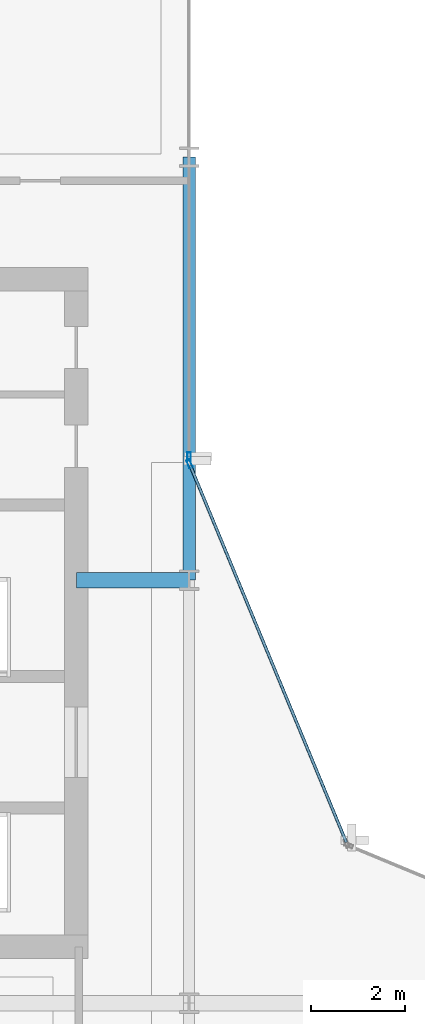
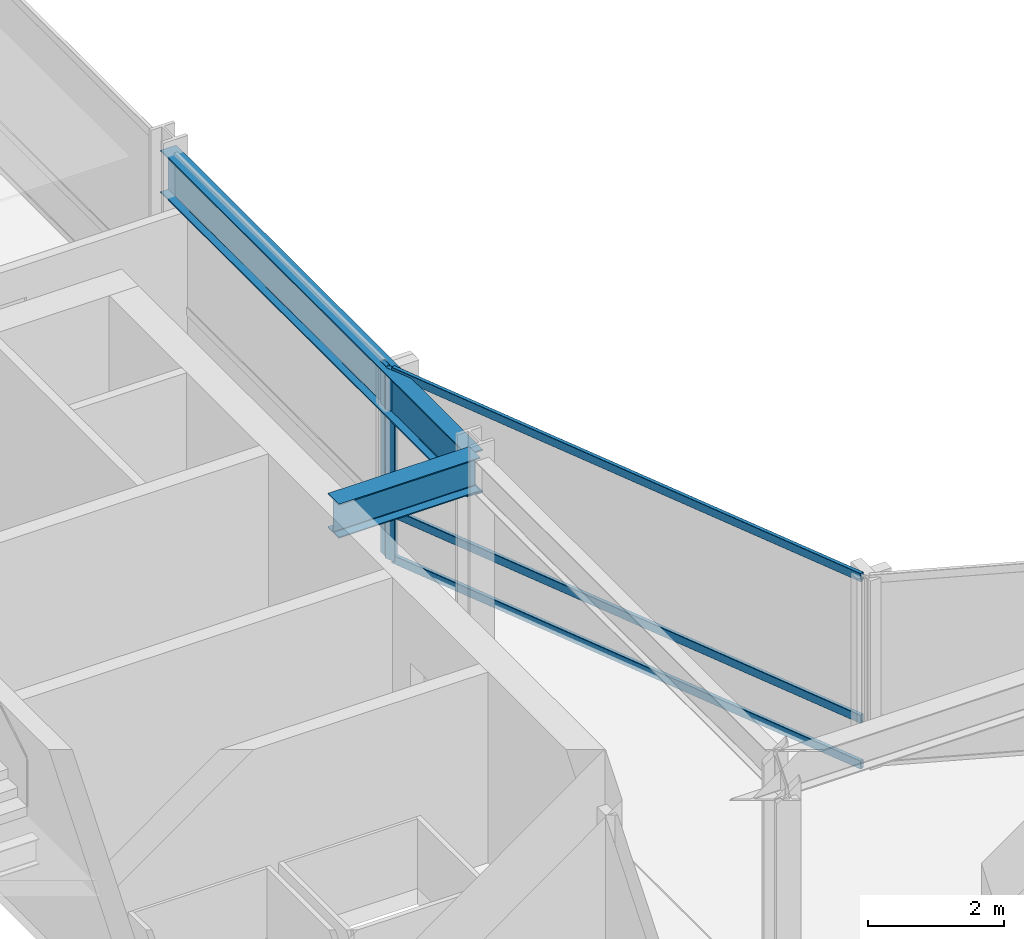
# One storey, part 17 of 29: 5 members, 2 beams, 2 elements without a shape of their own.
"""IFC4 building model written with IfcOpenShell, lengths in metres."""

from ifc_helpers import new_model, si_unit, direction, frame, origin, origin_2d, place, context, subcontext, project, spatial, hollow_rectangle, i_section, extrude, material, layer, layer_set, material_profile, profile_set, type_object, element, aggregate, save


model = new_model("IFC4")

# Units and contexts
model_context = context("Model", 3, precision=1e-05, world=origin(), true_north=direction((0.0, 1.0)))
body_context = subcontext(model_context, "Body", "Model", "MODEL_VIEW")
ifc_project = project(units=[si_unit("LENGTHUNIT", "METRE"), si_unit("AREAUNIT", "SQUARE_METRE"), si_unit("VOLUMEUNIT", "CUBIC_METRE"), si_unit("PLANEANGLEUNIT", "RADIAN"), si_unit("MASSUNIT", "GRAM", prefix="KILO")], contexts=[model_context])

# Site, building, storey
site_placement = place(None, origin())
site = spatial("IfcSite", under=ifc_project, at=site_placement, CompositionType="ELEMENT")
building_placement = place(site_placement, origin())
building = spatial("IfcBuilding", under=site, at=building_placement, Name="Solvaryn Broadcast Tower", CompositionType="ELEMENT")
storey_placement = place(building_placement, frame((0.0, 0.0, 139.60009765625)))
storey = spatial("IfcBuildingStorey", under=building, at=storey_placement, Name="L34", CompositionType="ELEMENT", Elevation=139.60009765625)

# Beams
ifc_material_1 = material(Name="Steel ASTM A992 Grade 50", Category="steel")
ifc_material_profile_1 = material_profile(ifc_material_1, i_section(OverallWidth=0.323974609375, OverallDepth=0.611083984375, WebThickness=0.0126953125, FlangeThickness=0.01904296875, FilletRadius=0.014892578125, at=origin_2d()))
ifc_profile_set_1 = profile_set([ifc_material_profile_1], Name="Steel ASTM A992 Grade 50")
beam_type_1 = type_object("IfcBeamType", Name="BM-B1-W24X104", PredefinedType="BEAM", material=ifc_profile_set_1)
beam_1_placement = place(storey_placement, frame((24.60009765625, 36.0, 3.114501953125), z_axis=(1.0, 0.0, 0.0), x_axis=(0.0, 1.0, 0.0)))
element("IfcBeam", 1, at=beam_1_placement, inside=storey, type_object=beam_type_1, Name="L34 Core Tie Beam CTW2", PredefinedType="BEAM", context=body_context, shape_type="SweptSolid", body=[
    extrude(i_section(OverallWidth=0.323974609375, OverallDepth=0.611083984375, WebThickness=0.0126953125, FlangeThickness=0.01904296875, FilletRadius=0.014892578125, at=origin_2d()), origin(), (0.0, 0.0, 1.0), 2.39990234375),
])
ifc_material_2 = material(Name="Steel ASTM A992 Grade 50", Category="steel")
ifc_material_profile_2 = material_profile(ifc_material_2, i_section(OverallWidth=0.26708984375, OverallDepth=0.76611328125, WebThickness=0.014892578125, FlangeThickness=0.023681640625, FilletRadius=0.01806640625, at=origin_2d()))
ifc_profile_set_2 = profile_set([ifc_material_profile_2], Name="Steel ASTM A992 Grade 50")
beam_type_2 = type_object("IfcBeamType", Name="BM-SP2-W30X124", PredefinedType="USERDEFINED", material=ifc_profile_set_2)
beam_2_placement = place(storey_placement, frame((27.0, 36.0, 3.036865234375), z_axis=(0.0, 1.0, 0.0), x_axis=(-1.0, 0.0, 0.0)))
element("IfcBeam", 2, at=beam_2_placement, inside=storey, type_object=beam_type_2, Name="L34 Spandrel Beam Y (36-45 @ X=27)", ObjectType="SPANDREL", PredefinedType="USERDEFINED", context=body_context, shape_type="SweptSolid", body=[
    extrude(i_section(OverallWidth=0.26708984375, OverallDepth=0.76611328125, WebThickness=0.014892578125, FlangeThickness=0.023681640625, FilletRadius=0.01806640625, at=origin_2d()), origin(), (0.0, 0.0, 1.0), 9.0),
])

# Curtain wall, member
ifc_material_3 = material(Name="Aluminium and Terracotta Unitised Curtain Wall", Category="masonry")
ifc_layer = layer(ifc_material_3, 0.199951171875)
ifc_layer_set = layer_set([ifc_layer], Name="CW-SYS2-LOWMID")
curtain_wall_type = type_object("IfcCurtainWallType", Name="CW-SYS2-LOWMID", PredefinedType="NOTDEFINED", material=ifc_layer_set)
curtain_wall_1_placement = place(storey_placement, origin())
curtain_wall_1 = element("IfcCurtainWall", 3, at=curtain_wall_1_placement, inside=storey, type_object=curtain_wall_type, Name="L34 Curtain Wall IV", PredefinedType="NOTDEFINED")
ifc_material_4 = material(Name="Anodised Aluminium 6063-T6", Category="aluminium")
ifc_material_profile_3 = material_profile(ifc_material_4, hollow_rectangle(XDim=0.074951171875, YDim=0.179931640625, WallThickness=0.00390625, InnerFilletRadius=0.00390625, OuterFilletRadius=0.008056640625, at=origin_2d()))
ifc_profile_set_3 = profile_set([ifc_material_profile_3], Name="Anodised Aluminium 6063-T6")
member_type_1 = type_object("IfcMemberType", Name="CW-MUL-180", PredefinedType="MULLION", material=ifc_profile_set_3)
member_1_placement = place(storey_placement, frame((27.0, 38.6298828125, 0.0), z_axis=(0.0, 0.0, 1.0), x_axis=(1.0, 0.0, 0.0)))
member_1 = element("IfcMember", 4, at=member_1_placement, type_object=member_type_1, Name="CWS2 mullion 2", PredefinedType="MULLION", context=body_context, shape_type="SweptSolid", body=[
    extrude(hollow_rectangle(XDim=0.074951171875, YDim=0.179931640625, WallThickness=0.00390625, InnerFilletRadius=0.00390625, OuterFilletRadius=0.008056640625, at=origin_2d()), origin(), (0.0, 0.0, 1.0), 3.419921875),
])
aggregate(curtain_wall_1, [member_1])

# Curtain wall, members
curtain_wall_2_placement = place(storey_placement, origin())
curtain_wall_2 = element("IfcCurtainWall", 5, at=curtain_wall_2_placement, inside=storey, type_object=curtain_wall_type, Name="L34 Curtain Wall CN2", PredefinedType="NOTDEFINED")
member_2_placement = place(storey_placement, frame((27.011474609375, 38.47216796875, 0.0), z_axis=(0.0, 0.0, 1.0), x_axis=(-0.923894983957, -0.382646127145, 0.0)))
member_2 = element("IfcMember", 6, at=member_2_placement, type_object=member_type_1, Name="CWS2 mullion 2", PredefinedType="MULLION", context=body_context, shape_type="SweptSolid", body=[
    extrude(hollow_rectangle(XDim=0.074951171875, YDim=0.179931640625, WallThickness=0.00390625, InnerFilletRadius=0.00390625, OuterFilletRadius=0.008056640625, at=origin_2d()), origin(), (0.0, 0.0, 1.0), 3.419921875),
])
ifc_material_5 = material(Name="Anodised Aluminium 6063-T6", Category="aluminium")
ifc_material_profile_4 = material_profile(ifc_material_5, hollow_rectangle(XDim=0.06494140625, YDim=0.14990234375, WallThickness=0.00390625, InnerFilletRadius=0.00390625, OuterFilletRadius=0.008056640625, at=origin_2d()))
ifc_profile_set_4 = profile_set([ifc_material_profile_4], Name="Anodised Aluminium 6063-T6")
member_type_2 = type_object("IfcMemberType", Name="CW-TRN-150", PredefinedType="USERDEFINED", material=ifc_profile_set_4)
member_3_placement = place(storey_placement, frame((30.344970703125, 30.42333984375, 0.02978515625), z_axis=(-0.382635748975, 0.923899282177, 0.0), x_axis=(-0.923899282177, -0.382635748975, 0.0)))
member_3 = element("IfcMember", 7, at=member_3_placement, type_object=member_type_2, Name="CWS2 transom 1.1", ObjectType="TRANSOM", PredefinedType="USERDEFINED", context=body_context, shape_type="SweptSolid", body=[
    extrude(hollow_rectangle(XDim=0.06494140625, YDim=0.14990234375, WallThickness=0.00390625, InnerFilletRadius=0.00390625, OuterFilletRadius=0.008056640625, at=origin_2d()), origin(), (0.0, 0.0, 1.0), 8.681884765625),
])
member_4_placement = place(storey_placement, frame((30.344970703125, 30.42333984375, 0.849853515625), z_axis=(-0.382635748975, 0.923899282177, 0.0), x_axis=(-0.923899282177, -0.382635748975, 0.0)))
member_4 = element("IfcMember", 8, at=member_4_placement, type_object=member_type_2, Name="CWS2 transom 1.2", ObjectType="TRANSOM", PredefinedType="USERDEFINED", context=body_context, shape_type="SweptSolid", body=[
    extrude(hollow_rectangle(XDim=0.06494140625, YDim=0.14990234375, WallThickness=0.00390625, InnerFilletRadius=0.00390625, OuterFilletRadius=0.008056640625, at=origin_2d()), origin(), (0.0, 0.0, 1.0), 8.681884765625),
])
member_5_placement = place(storey_placement, frame((30.344970703125, 30.42333984375, 3.389892578125), z_axis=(-0.382635748975, 0.923899282177, 0.0), x_axis=(-0.923899282177, -0.382635748975, 0.0)))
member_5 = element("IfcMember", 9, at=member_5_placement, type_object=member_type_2, Name="CWS2 transom 1.3", ObjectType="TRANSOM", PredefinedType="USERDEFINED", context=body_context, shape_type="SweptSolid", body=[
    extrude(hollow_rectangle(XDim=0.06494140625, YDim=0.14990234375, WallThickness=0.00390625, InnerFilletRadius=0.00390625, OuterFilletRadius=0.008056640625, at=origin_2d()), origin(), (0.0, 0.0, 1.0), 8.681884765625),
])
aggregate(curtain_wall_2, [member_2, member_3, member_4, member_5])

save(model, "model.ifc")
